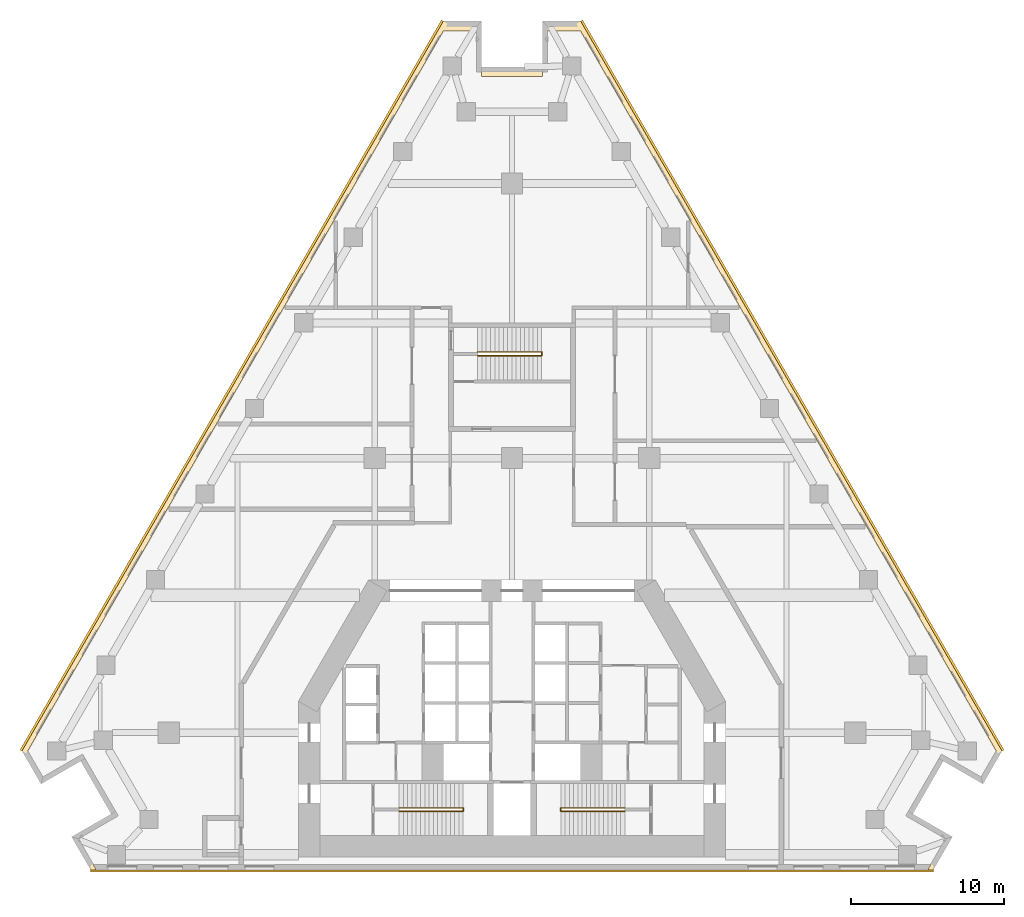
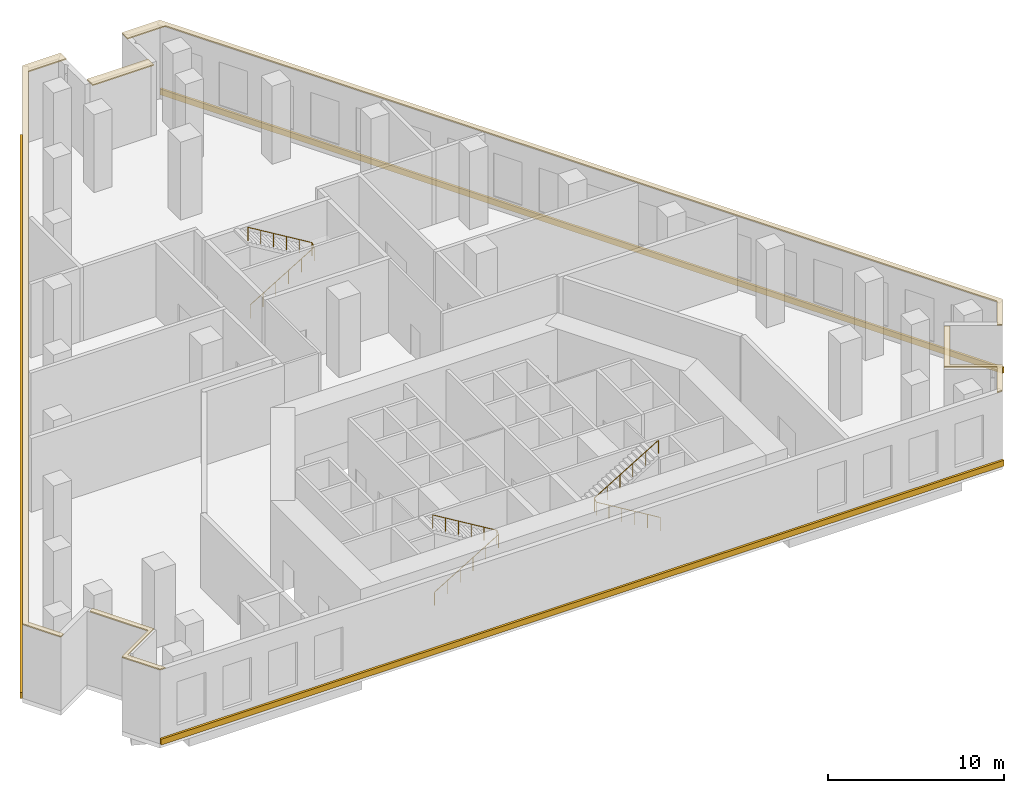
# One storey, part 10 of 10: 8 coverings, 3 railings.
"""IFC4 building model written with IfcOpenShell, lengths in metres."""

from ifc_helpers import new_model, si_unit, direction, frame, origin, origin_2d, place, context, subcontext, project, spatial, polyline, circle, outline, extrude, material, layer, layer_set, type_object, element, save


model = new_model("IFC4")

# Units and contexts
model_context = context("Model", 3, precision=1e-05, world=origin(), true_north=direction((0.0, 1.0)))
body_context = subcontext(model_context, "Body", "Model", "MODEL_VIEW")
ifc_project = project(units=[si_unit("LENGTHUNIT", "METRE"), si_unit("AREAUNIT", "SQUARE_METRE"), si_unit("VOLUMEUNIT", "CUBIC_METRE"), si_unit("PLANEANGLEUNIT", "RADIAN"), si_unit("MASSUNIT", "GRAM", prefix="KILO")], contexts=[model_context])

# Site, building, storey
site_placement = place(None, origin())
site = spatial("IfcSite", under=ifc_project, at=site_placement, CompositionType="ELEMENT")
building_placement = place(site_placement, origin())
building = spatial("IfcBuilding", under=site, at=building_placement, Name="Fogline Exchange Tower", CompositionType="ELEMENT")
storey_placement = place(building_placement, frame((0.0, 0.0, 47.5)))
storey = spatial("IfcBuildingStorey", under=building, at=storey_placement, Name="L09", CompositionType="ELEMENT", Elevation=47.5)

# Coverings
ifc_material_1 = material(Name="Granite", Category="masonry")
ifc_layer = layer(ifc_material_1, 0.080078125)
ifc_layer_set = layer_set([ifc_layer], Name="CP1")
covering_type_1 = type_object("IfcCoveringType", Name="CP1", PredefinedType="USERDEFINED", material=ifc_layer_set)
covering_1_placement = place(storey_placement, frame((0.0, 0.0, 5.10009765625)))
element("IfcCovering", 1, at=covering_1_placement, inside=storey, type_object=covering_type_1, Name="Ledge coping L09", ObjectType="COPING", PredefinedType="USERDEFINED", context=body_context, shape_type="SweptSolid", body=[
    extrude(outline(polyline([(-30.877685546875, 5.629150390625), (-30.598388671875, 5.790283203125), (-31.755126953125, 7.794189453125), (-4.5, 55.001708984375), (-2.0, 55.001708984375), (-2.0, 55.646728515625), (-4.5, 55.646728515625), (-32.127685546875, 7.794189453125), (-30.877685546875, 5.629150390625)])), origin(), (0.0, 0.0, 1.0), 0.079833984375),
])
covering_2_placement = place(storey_placement, frame((0.0, 0.0, 5.10009765625)))
element("IfcCovering", 2, at=covering_2_placement, inside=storey, type_object=covering_type_1, Name="Ledge coping L09", ObjectType="COPING", PredefinedType="USERDEFINED", context=body_context, shape_type="SweptSolid", body=[
    extrude(outline(polyline([(-27.627685546875, 0.0), (-27.255126953125, 0.0), (-28.505126953125, 2.1650390625), (-25.906982421875, 3.6650390625), (-27.906982421875, 7.129150390625), (-28.186279296875, 6.968017578125), (-26.279541015625, 3.6650390625), (-28.877685546875, 2.1650390625), (-27.627685546875, 0.0)])), origin(), (0.0, 0.0, 1.0), 0.079833984375),
])
covering_3_placement = place(storey_placement, frame((0.0, 0.0, 5.10009765625)))
element("IfcCovering", 3, at=covering_3_placement, inside=storey, type_object=covering_type_1, Name="Ledge coping L09", ObjectType="COPING", PredefinedType="USERDEFINED", context=body_context, shape_type="SweptSolid", body=[
    extrude(outline(polyline([(26.279541015625, 3.6650390625), (28.186279296875, 6.968017578125), (27.906982421875, 7.129150390625), (25.906982421875, 3.6650390625), (28.505126953125, 2.1650390625), (27.255126953125, 0.0), (27.627685546875, 0.0), (28.877685546875, 2.1650390625), (26.279541015625, 3.6650390625)])), origin(), (0.0, 0.0, 1.0), 0.079833984375),
])
covering_4_placement = place(storey_placement, frame((0.0, 0.0, 5.10009765625)))
element("IfcCovering", 4, at=covering_4_placement, inside=storey, type_object=covering_type_1, Name="Ledge coping L09", ObjectType="COPING", PredefinedType="USERDEFINED", context=body_context, shape_type="SweptSolid", body=[
    extrude(outline(polyline([(2.0, 55.646728515625), (2.0, 55.001708984375), (4.5, 55.001708984375), (31.755126953125, 7.794189453125), (30.598388671875, 5.790283203125), (30.877685546875, 5.629150390625), (32.127685546875, 7.794189453125), (4.5, 55.646728515625), (2.0, 55.646728515625)])), origin(), (0.0, 0.0, 1.0), 0.079833984375),
])
covering_5_placement = place(storey_placement, frame((0.0, 0.0, 5.10009765625)))
element("IfcCovering", 5, at=covering_5_placement, inside=storey, type_object=covering_type_1, Name="Ledge coping L09", ObjectType="COPING", PredefinedType="USERDEFINED", context=body_context, shape_type="SweptSolid", body=[
    extrude(outline(polyline([(2.0, 52.646728515625), (-2.0, 52.646728515625), (-2.0, 52.001708984375), (2.0, 52.001708984375), (2.0, 52.646728515625)])), origin(), (0.0, 0.0, 1.0), 0.079833984375),
])

# Railings
ifc_material_2 = material(Name="Steel Q235B", Category="steel")
railing_type = type_object("IfcRailingType", Name="RL-HR", PredefinedType="HANDRAIL", material=ifc_material_2)
railing_1_placement = place(storey_placement, frame((-7.39990234375, 3.85009765625, 0.168701171875)))
element("IfcRailing", 6, at=railing_1_placement, inside=storey, type_object=railing_type, Name="Handrail ST1", PredefinedType="HANDRAIL", context=body_context, shape_type="SweptSolid", body=[
    extrude(circle(Radius=0.02392578125, at=origin_2d()), frame((0.0, 0.0, 0.92578125), z_axis=(0.856476492594, 0.0, 0.516186030065), x_axis=(0.0, 1.0, 0.0)), (0.0, 0.0, 1.0), 4.90380859375),
    extrude(circle(Radius=0.02392578125, at=origin_2d()), frame((4.199951171875, 0.0, 3.45703125), z_axis=(0.0, 0.76384598821, 0.645398563909), x_axis=(-1.0, 0.0, 0.0)), (0.0, 0.0, 1.0), 0.26171875),
    extrude(circle(Radius=0.02392578125, at=origin_2d()), frame((4.199951171875, 0.199951171875, 3.6259765625), z_axis=(-0.856498503035, 0.0, 0.5161495077), x_axis=(0.0, -1.0, 0.0)), (0.0, 0.0, 1.0), 4.903564453125),
    extrude(circle(Radius=0.02099609375, at=origin_2d()), origin(), (0.0, 0.0, 1.0), 0.90185546875),
    extrude(circle(Radius=0.02099609375, at=origin_2d()), frame((0.840087890625, 0.0, 0.50634765625)), (0.0, 0.0, 1.0), 0.90185546875),
    extrude(circle(Radius=0.02099609375, at=origin_2d()), frame((1.679931640625, 0.0, 1.012451171875)), (0.0, 0.0, 1.0), 0.90185546875),
    extrude(circle(Radius=0.02099609375, at=origin_2d()), frame((2.52001953125, 0.0, 1.518798828125)), (0.0, 0.0, 1.0), 0.90185546875),
    extrude(circle(Radius=0.02099609375, at=origin_2d()), frame((3.35986328125, 0.0, 2.02490234375)), (0.0, 0.0, 1.0), 0.90185546875),
    extrude(circle(Radius=0.02099609375, at=origin_2d()), frame((4.199951171875, 0.0, 2.53125)), (0.0, 0.0, 1.0), 0.90185546875),
    extrude(circle(Radius=0.02099609375, at=origin_2d()), frame((4.199951171875, 0.199951171875, 2.7001953125)), (0.0, 0.0, 1.0), 0.90185546875),
    extrude(circle(Radius=0.02099609375, at=origin_2d()), frame((3.35986328125, 0.199951171875, 3.206298828125)), (0.0, 0.0, 1.0), 0.90185546875),
    extrude(circle(Radius=0.02099609375, at=origin_2d()), frame((2.52001953125, 0.199951171875, 3.712646484375)), (0.0, 0.0, 1.0), 0.90185546875),
    extrude(circle(Radius=0.02099609375, at=origin_2d()), frame((1.679931640625, 0.199951171875, 4.21875)), (0.0, 0.0, 1.0), 0.90185546875),
    extrude(circle(Radius=0.02099609375, at=origin_2d()), frame((0.840087890625, 0.199951171875, 4.72509765625)), (0.0, 0.0, 1.0), 0.90185546875),
    extrude(circle(Radius=0.02099609375, at=origin_2d()), frame((0.0, 0.199951171875, 5.231201171875)), (0.0, 0.0, 1.0), 0.90185546875),
])
railing_2_placement = place(storey_placement, frame((7.39990234375, 3.85009765625, 0.168701171875)))
element("IfcRailing", 7, at=railing_2_placement, inside=storey, type_object=railing_type, Name="Handrail ST2", PredefinedType="HANDRAIL", context=body_context, shape_type="SweptSolid", body=[
    extrude(circle(Radius=0.02392578125, at=origin_2d()), frame((0.0, 0.0, 0.92578125), z_axis=(-0.856476492594, 0.0, 0.516186030065), x_axis=(0.0, -1.0, 0.0)), (0.0, 0.0, 1.0), 4.90380859375),
    extrude(circle(Radius=0.02392578125, at=origin_2d()), frame((-4.199951171875, 0.0, 3.45703125), z_axis=(0.0, 0.76384598821, 0.645398563909), x_axis=(-1.0, 0.0, 0.0)), (0.0, 0.0, 1.0), 0.26171875),
    extrude(circle(Radius=0.02392578125, at=origin_2d()), frame((-4.199951171875, 0.199951171875, 3.6259765625), z_axis=(0.856498503035, 0.0, 0.5161495077), x_axis=(0.0, 1.0, 0.0)), (0.0, 0.0, 1.0), 4.903564453125),
    extrude(circle(Radius=0.02099609375, at=origin_2d()), origin(), (0.0, 0.0, 1.0), 0.90185546875),
    extrude(circle(Radius=0.02099609375, at=origin_2d()), frame((-0.840087890625, 0.0, 0.50634765625)), (0.0, 0.0, 1.0), 0.90185546875),
    extrude(circle(Radius=0.02099609375, at=origin_2d()), frame((-1.679931640625, 0.0, 1.012451171875)), (0.0, 0.0, 1.0), 0.90185546875),
    extrude(circle(Radius=0.02099609375, at=origin_2d()), frame((-2.52001953125, 0.0, 1.518798828125)), (0.0, 0.0, 1.0), 0.90185546875),
    extrude(circle(Radius=0.02099609375, at=origin_2d()), frame((-3.35986328125, 0.0, 2.02490234375)), (0.0, 0.0, 1.0), 0.90185546875),
    extrude(circle(Radius=0.02099609375, at=origin_2d()), frame((-4.199951171875, 0.0, 2.53125)), (0.0, 0.0, 1.0), 0.90185546875),
    extrude(circle(Radius=0.02099609375, at=origin_2d()), frame((-4.199951171875, 0.199951171875, 2.7001953125)), (0.0, 0.0, 1.0), 0.90185546875),
    extrude(circle(Radius=0.02099609375, at=origin_2d()), frame((-3.35986328125, 0.199951171875, 3.206298828125)), (0.0, 0.0, 1.0), 0.90185546875),
    extrude(circle(Radius=0.02099609375, at=origin_2d()), frame((-2.52001953125, 0.199951171875, 3.712646484375)), (0.0, 0.0, 1.0), 0.90185546875),
    extrude(circle(Radius=0.02099609375, at=origin_2d()), frame((-1.679931640625, 0.199951171875, 4.21875)), (0.0, 0.0, 1.0), 0.90185546875),
    extrude(circle(Radius=0.02099609375, at=origin_2d()), frame((-0.840087890625, 0.199951171875, 4.72509765625)), (0.0, 0.0, 1.0), 0.90185546875),
    extrude(circle(Radius=0.02099609375, at=origin_2d()), frame((0.0, 0.199951171875, 5.231201171875)), (0.0, 0.0, 1.0), 0.90185546875),
])
railing_3_placement = place(storey_placement, frame((-2.25, 33.70703125, 0.168701171875)))
element("IfcRailing", 8, at=railing_3_placement, inside=storey, type_object=railing_type, Name="Handrail ST3", PredefinedType="HANDRAIL", context=body_context, shape_type="SweptSolid", body=[
    extrude(circle(Radius=0.02392578125, at=origin_2d()), frame((0.0, 0.0, 0.92578125), z_axis=(0.856476492594, 0.0, 0.516186030065), x_axis=(0.0, 1.0, 0.0)), (0.0, 0.0, 1.0), 4.90380859375),
    extrude(circle(Radius=0.02392578125, at=origin_2d()), frame((4.199951171875, 0.0, 3.45703125), z_axis=(0.0, 0.828548388316, 0.559917465542), x_axis=(-1.0, 0.0, 0.0)), (0.0, 0.0, 1.0), 0.3017578125),
    extrude(circle(Radius=0.02392578125, at=origin_2d()), frame((4.199951171875, 0.25, 3.6259765625), z_axis=(-0.856498503035, 0.0, 0.5161495077), x_axis=(0.0, -1.0, 0.0)), (0.0, 0.0, 1.0), 4.903564453125),
    extrude(circle(Radius=0.02099609375, at=origin_2d()), origin(), (0.0, 0.0, 1.0), 0.90185546875),
    extrude(circle(Radius=0.02099609375, at=origin_2d()), frame((0.840087890625, 0.0, 0.50634765625)), (0.0, 0.0, 1.0), 0.90185546875),
    extrude(circle(Radius=0.02099609375, at=origin_2d()), frame((1.679931640625, 0.0, 1.012451171875)), (0.0, 0.0, 1.0), 0.90185546875),
    extrude(circle(Radius=0.02099609375, at=origin_2d()), frame((2.52001953125, 0.0, 1.518798828125)), (0.0, 0.0, 1.0), 0.90185546875),
    extrude(circle(Radius=0.02099609375, at=origin_2d()), frame((3.35986328125, 0.0, 2.02490234375)), (0.0, 0.0, 1.0), 0.90185546875),
    extrude(circle(Radius=0.02099609375, at=origin_2d()), frame((4.199951171875, 0.0, 2.53125)), (0.0, 0.0, 1.0), 0.90185546875),
    extrude(circle(Radius=0.02099609375, at=origin_2d()), frame((4.199951171875, 0.25, 2.7001953125)), (0.0, 0.0, 1.0), 0.90185546875),
    extrude(circle(Radius=0.02099609375, at=origin_2d()), frame((3.35986328125, 0.25, 3.206298828125)), (0.0, 0.0, 1.0), 0.90185546875),
    extrude(circle(Radius=0.02099609375, at=origin_2d()), frame((2.52001953125, 0.25, 3.712646484375)), (0.0, 0.0, 1.0), 0.90185546875),
    extrude(circle(Radius=0.02099609375, at=origin_2d()), frame((1.679931640625, 0.25, 4.21875)), (0.0, 0.0, 1.0), 0.90185546875),
    extrude(circle(Radius=0.02099609375, at=origin_2d()), frame((0.840087890625, 0.25, 4.72509765625)), (0.0, 0.0, 1.0), 0.90185546875),
    extrude(circle(Radius=0.02099609375, at=origin_2d()), frame((0.0, 0.25, 5.231201171875)), (0.0, 0.0, 1.0), 0.90185546875),
])

# Coverings
ifc_material_3 = material(Name="Brick masonry", Category="masonry")
covering_type_2 = type_object("IfcCoveringType", Name="SB2", PredefinedType="CLADDING", material=ifc_material_3)
covering_6_placement = place(storey_placement, origin())
element("IfcCovering", 9, at=covering_6_placement, inside=storey, type_object=covering_type_2, Name="Stringcourse band L09 S", PredefinedType="CLADDING", context=body_context, shape_type="SweptSolid", body=[
    extrude(outline(polyline([(-27.627685546875, 0.0), (-27.627685546875, -0.14990234375), (27.627685546875, -0.14990234375), (27.627685546875, 0.0), (-27.627685546875, 0.0)])), origin(), (0.0, 0.0, 1.0), 0.39990234375),
])
covering_7_placement = place(storey_placement, origin())
element("IfcCovering", 10, at=covering_7_placement, inside=storey, type_object=covering_type_2, Name="Stringcourse band L09 E", PredefinedType="CLADDING", context=body_context, shape_type="SweptSolid", body=[
    extrude(outline(polyline([(32.127685546875, 7.794189453125), (32.257568359375, 7.869140625), (4.6298828125, 55.7216796875), (4.5, 55.646728515625), (32.127685546875, 7.794189453125)])), origin(), (0.0, 0.0, 1.0), 0.39990234375),
])
covering_8_placement = place(storey_placement, origin())
element("IfcCovering", 11, at=covering_8_placement, inside=storey, type_object=covering_type_2, Name="Stringcourse band L09 W", PredefinedType="CLADDING", context=body_context, shape_type="SweptSolid", body=[
    extrude(outline(polyline([(-4.5, 55.646728515625), (-4.6298828125, 55.7216796875), (-32.257568359375, 7.869140625), (-32.127685546875, 7.794189453125), (-4.5, 55.646728515625)])), origin(), (0.0, 0.0, 1.0), 0.39990234375),
])

save(model, "model.ifc")
